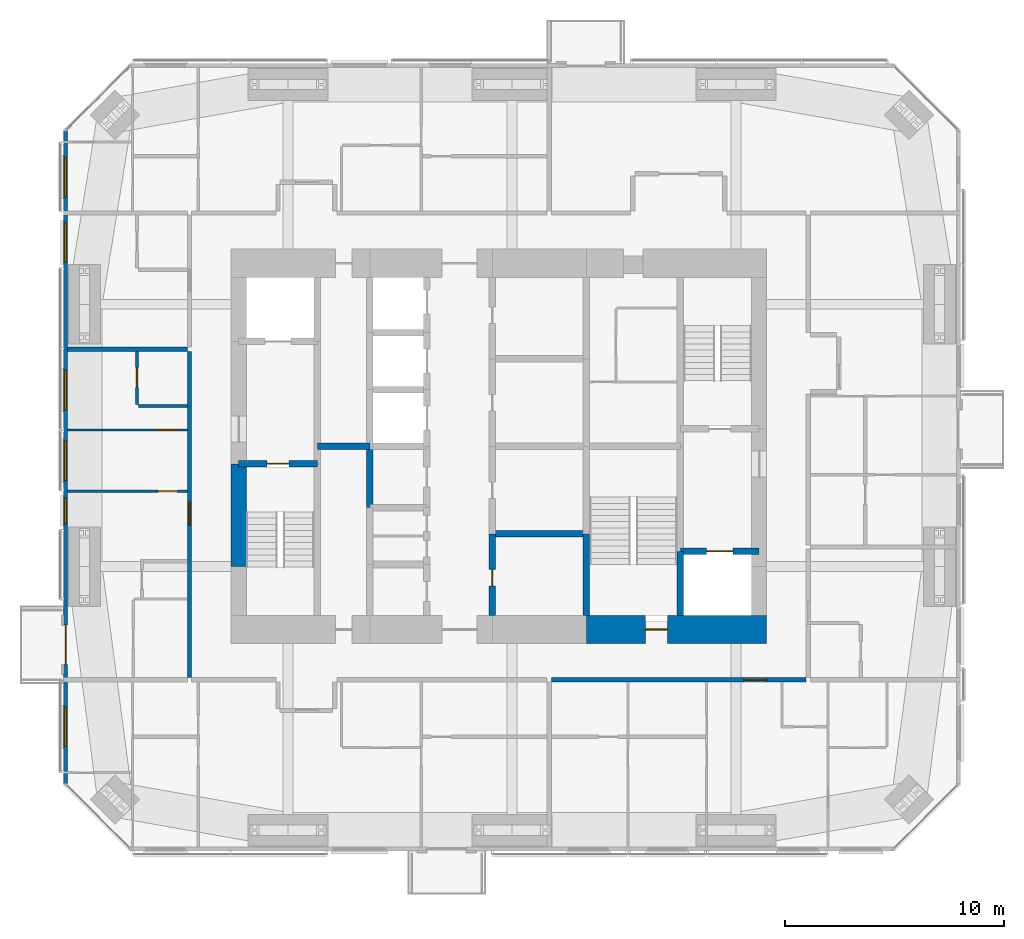
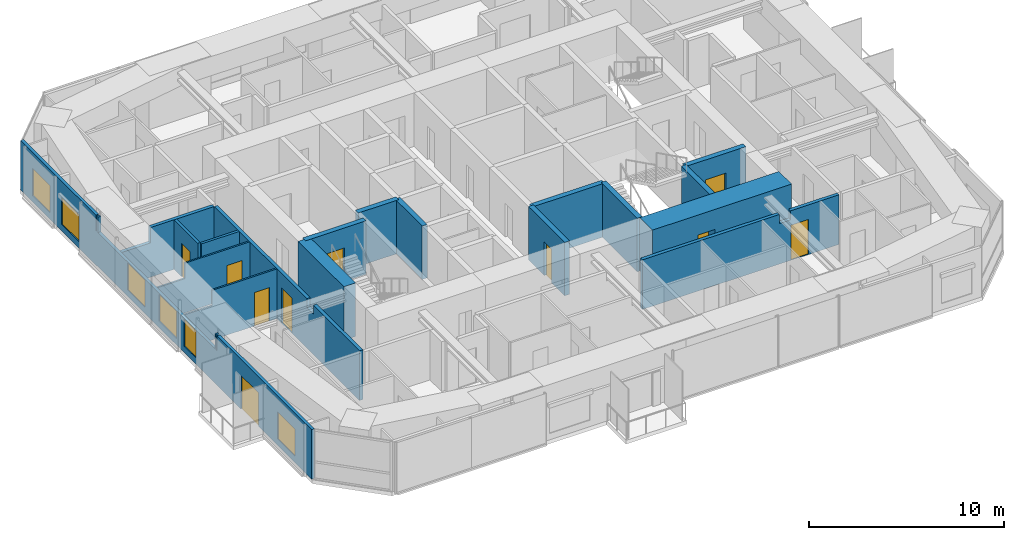
# One storey, part 17 of 22: 18 walls, 10 doors, 6 windows, 16 openings.
"""IFC4 building model written with IfcOpenShell, lengths in metres."""

from ifc_helpers import new_model, si_unit, direction, frame, frame_2d, origin, place, context, subcontext, project, spatial, polyline, rectangle, outline, extrude, material, layer, layer_set, constituent, constituent_set, type_object, element, fill, save


model = new_model("IFC4")

# Units and contexts
model_context = context("Model", 3, precision=1e-05, world=origin(), true_north=direction((0.0, 1.0)))
body_context = subcontext(model_context, "Body", "Model", "MODEL_VIEW")
ifc_project = project(units=[si_unit("LENGTHUNIT", "METRE"), si_unit("AREAUNIT", "SQUARE_METRE"), si_unit("VOLUMEUNIT", "CUBIC_METRE"), si_unit("PLANEANGLEUNIT", "RADIAN"), si_unit("MASSUNIT", "GRAM", prefix="KILO")], contexts=[model_context])

# Site, building, storey
site_placement = place(None, origin())
site = spatial("IfcSite", under=ifc_project, at=site_placement, CompositionType="ELEMENT")
building_placement = place(site_placement, origin())
building = spatial("IfcBuilding", under=site, at=building_placement, Name="Jalousie Tower", CompositionType="ELEMENT")
storey_placement = place(building_placement, frame((0.0, 0.0, 201.25)))
storey = spatial("IfcBuildingStorey", under=building, at=storey_placement, Name="L55", CompositionType="ELEMENT", Elevation=201.25)

# Wall, opening, door
ifc_material_1 = material(Name="Concrete block ASTM C90", Category="concrete")
ifc_constituent_1 = constituent(ifc_material_1, Name="Body")
ifc_material_2 = material(Name="Render")
ifc_constituent_2 = constituent(ifc_material_2, Name="Finish")
ifc_constituent_set_1 = constituent_set(constituents=[ifc_constituent_1, ifc_constituent_2])
wall_type_1 = type_object("IfcWallType", Name="BATHROOM WALL 150", PredefinedType="PLUMBINGWALL", material=ifc_constituent_set_1)
wall_1_placement = place(storey_placement, frame((15.35009765625, 20.425048828125, 0.0), z_axis=(0.0, 0.0, 1.0), x_axis=(0.0, 1.0, 0.0)))
wall_1 = element("IfcWall", 1, at=wall_1_placement, inside=storey, type_object=wall_type_1, Name="Bathroom Wall 150 L55", PredefinedType="PLUMBINGWALL", context=body_context, shape_type="SweptSolid", body=[
    extrude(rectangle(XDim=2.425048828125, YDim=0.14990234375, at=frame_2d((1.21240234375, 0.0))), origin(), (0.0, 0.0, 1.0), 3.110107421875),
])
opening_1_placement = place(wall_1_placement, frame((0.77490234375, 0.0, 0.0)))
opening_1 = element("IfcOpeningElement", 2, at=opening_1_placement, cuts=wall_1, Name="Opening D3", PredefinedType="OPENING", context=body_context, shape_type="SweptSolid", body=[
    extrude(rectangle(XDim=0.89990234375, YDim=2.10009765625, at=frame_2d((0.449951171875, 1.050048828125))), frame((0.0, 0.0849609375, 0.0), z_axis=(0.0, -1.0, 0.0), x_axis=(1.0, 0.0, 0.0)), (0.0, 0.0, 1.0), 0.169921875),
])
ifc_material_3 = material(Name="Timber door", Category="wood")
door_type_1 = type_object("IfcDoorType", Name="BATHROOM DOOR 900", OperationType="SINGLE_SWING_LEFT", PredefinedType="DOOR", material=ifc_material_3)
door_1_placement = place(opening_1_placement, frame((0.89990234375, 0.0, 0.0), z_axis=(0.0, 0.0, 1.0), x_axis=(-1.0, 0.0, 0.0)))
door_1 = element("IfcDoor", 3, at=door_1_placement, inside=storey, type_object=door_type_1, Name="Apartment 5504 bathroom door", OperationType="SINGLE_SWING_LEFT", OverallHeight=2.10009765625, OverallWidth=0.89990234375, PredefinedType="DOOR", context=body_context, shape_type="SweptSolid", body=[
    extrude(rectangle(XDim=0.89990234375, YDim=2.10009765625, at=frame_2d((0.449951171875, 1.050048828125))), frame((0.0, 0.02490234375, 0.0), z_axis=(0.0, -1.0, 0.0), x_axis=(1.0, 0.0, 0.0)), (0.0, 0.0, 1.0), 0.050048828125),
])
fill(opening_1, door_1)

# Wall
wall_2_placement = place(storey_placement, frame((15.425048828125, 20.35009765625, 0.0), z_axis=(0.0, 0.0, 1.0), x_axis=(1.0, 0.0, 0.0)))
element("IfcWall", 4, at=wall_2_placement, inside=storey, type_object=wall_type_1, Name="Bathroom Wall 150 L55", PredefinedType="PLUMBINGWALL", context=body_context, shape_type="SweptSolid", body=[
    extrude(rectangle(XDim=2.224853515625, YDim=0.14990234375, at=frame_2d((1.1123046875, 0.0))), origin(), (0.0, 0.0, 1.0), 3.110107421875),
])

# Wall, opening, door
ifc_material_4 = material(Name="Concrete f'c 120 MPa", Category="concrete")
ifc_layer_1 = layer(ifc_material_4, 1.300048828125)
ifc_layer_set_1 = layer_set([ifc_layer_1], Name="Concrete f'c 120 MPa")
wall_type_2 = type_object("IfcWallType", Name="CORE WALL 1300", PredefinedType="SHEAR", material=ifc_layer_set_1)
wall_3_placement = place(storey_placement, frame((35.89990234375, 10.125, 0.0), z_axis=(0.0, 0.0, 1.0), x_axis=(1.0, 0.0, 0.0)))
wall_3 = element("IfcWall", 5, at=wall_3_placement, inside=storey, type_object=wall_type_2, Name="Core wall SD L55", PredefinedType="SHEAR", context=body_context, shape_type="SweptSolid", body=[
    extrude(rectangle(XDim=8.25, YDim=1.300048828125, at=frame_2d((4.125, 0.0))), origin(), (0.0, 0.0, 1.0), 3.35009765625),
])
opening_2_placement = place(wall_3_placement, frame((2.699951171875, 0.0, 0.0)))
opening_2 = element("IfcOpeningElement", 6, at=opening_2_placement, cuts=wall_3, Name="Opening D10", PredefinedType="OPENING", context=body_context, shape_type="SweptSolid", body=[
    extrude(rectangle(XDim=1.0, YDim=2.10009765625, at=frame_2d((0.5, 1.050048828125))), frame((0.0, 0.659912109375, 0.0), z_axis=(0.0, -1.0, 0.0), x_axis=(1.0, 0.0, 0.0)), (0.0, 0.0, 1.0), 1.320068359375),
])
ifc_material_5 = material(Name="Steel fire door", Category="steel")
door_type_2 = type_object("IfcDoorType", Name="STAIR DOOR 1000", OperationType="SINGLE_SWING_LEFT", PredefinedType="DOOR", material=ifc_material_5)
door_2_placement = place(opening_2_placement, origin())
door_2 = element("IfcDoor", 7, at=door_2_placement, inside=storey, type_object=door_type_2, Name="Exit stair C door", OperationType="SINGLE_SWING_RIGHT", OverallHeight=2.10009765625, OverallWidth=1.0, PredefinedType="DOOR", context=body_context, shape_type="SweptSolid", body=[
    extrude(rectangle(XDim=1.0, YDim=2.10009765625, at=frame_2d((0.5, 1.050048828125))), frame((0.0, 0.02490234375, 0.0), z_axis=(0.0, -1.0, 0.0), x_axis=(1.0, 0.0, 0.0)), (0.0, 0.0, 1.0), 0.050048828125),
])
fill(opening_2, door_2)

# Wall
ifc_material_6 = material(Name="Concrete f'c 120 MPa", Category="concrete")
ifc_layer_2 = layer(ifc_material_6, 0.300048828125)
ifc_layer_set_2 = layer_set([ifc_layer_2], Name="Concrete f'c 120 MPa")
wall_type_3 = type_object("IfcWallType", Name="CORE WALL 300", PredefinedType="SHEAR", material=ifc_layer_set_2)
wall_4_placement = place(storey_placement, frame((26.0, 15.699951171875, 0.0), z_axis=(0.0, 0.0, 1.0), x_axis=(0.0, 1.0, 0.0)))
element("IfcWall", 8, at=wall_4_placement, inside=storey, type_object=wall_type_3, Name="Core wall X26C L55", PredefinedType="SHEAR", context=body_context, shape_type="SweptSolid", body=[
    extrude(rectangle(XDim=2.800048828125, YDim=0.300048828125, at=frame_2d((1.39990234375, 0.0))), origin(), (0.0, 0.0, 1.0), 3.35009765625),
])

# Wall, opening, door
wall_5_placement = place(storey_placement, frame((31.60009765625, 10.77490234375, 0.0), z_axis=(0.0, 0.0, 1.0), x_axis=(0.0, 1.0, 0.0)))
wall_5 = element("IfcWall", 9, at=wall_5_placement, inside=storey, type_object=wall_type_3, Name="Core wall X31.6A L55", PredefinedType="SHEAR", context=body_context, shape_type="SweptSolid", body=[
    extrude(rectangle(XDim=3.72509765625, YDim=0.300048828125, at=frame_2d((1.862548828125, 0.0))), origin(), (0.0, 0.0, 1.0), 3.35009765625),
])
opening_3_placement = place(wall_5_placement, frame((1.35009765625, 0.0, 0.0)))
opening_3 = element("IfcOpeningElement", 10, at=opening_3_placement, cuts=wall_5, Name="Opening D16", PredefinedType="OPENING", context=body_context, shape_type="SweptSolid", body=[
    extrude(rectangle(XDim=0.75, YDim=2.10009765625, at=frame_2d((0.375, 1.050048828125))), frame((0.0, 0.159912109375, 0.0), z_axis=(0.0, -1.0, 0.0), x_axis=(1.0, 0.0, 0.0)), (0.0, 0.0, 1.0), 0.320068359375),
])
ifc_material_7 = material(Name="Steel fire door", Category="steel")
door_type_3 = type_object("IfcDoorType", Name="RISER DOOR 750", OperationType="SINGLE_SWING_LEFT", PredefinedType="DOOR", material=ifc_material_7)
door_3_placement = place(opening_3_placement, frame((0.75, 0.0, 0.0), z_axis=(0.0, 0.0, 1.0), x_axis=(-1.0, 0.0, 0.0)))
door_3 = element("IfcDoor", 11, at=door_3_placement, inside=storey, type_object=door_type_3, Name="Refuse Room door", OperationType="SINGLE_SWING_RIGHT", OverallHeight=2.10009765625, OverallWidth=0.75, PredefinedType="DOOR", context=body_context, shape_type="SweptSolid", body=[
    extrude(rectangle(XDim=0.75, YDim=2.10009765625, at=frame_2d((0.375, 1.050048828125))), frame((0.0, 0.02490234375, 0.0), z_axis=(0.0, -1.0, 0.0), x_axis=(1.0, 0.0, 0.0)), (0.0, 0.0, 1.0), 0.050048828125),
])
fill(opening_3, door_3)

# Walls
wall_6_placement = place(storey_placement, frame((35.89990234375, 10.77490234375, 0.0), z_axis=(0.0, 0.0, 1.0), x_axis=(0.0, 1.0, 0.0)))
element("IfcWall", 12, at=wall_6_placement, inside=storey, type_object=wall_type_3, Name="Core wall X35.9A L55", PredefinedType="SHEAR", context=body_context, shape_type="SweptSolid", body=[
    extrude(rectangle(XDim=3.72509765625, YDim=0.300048828125, at=frame_2d((1.862548828125, 0.0))), origin(), (0.0, 0.0, 1.0), 3.35009765625),
])
wall_7_placement = place(storey_placement, frame((40.199951171875, 10.77490234375, 0.0), z_axis=(0.0, 0.0, 1.0), x_axis=(0.0, 1.0, 0.0)))
element("IfcWall", 13, at=wall_7_placement, inside=storey, type_object=wall_type_3, Name="Core wall X40.2A L55", PredefinedType="SHEAR", context=body_context, shape_type="SweptSolid", body=[
    extrude(rectangle(XDim=2.925048828125, YDim=0.300048828125, at=frame_2d((1.46240234375, 0.0))), origin(), (0.0, 0.0, 1.0), 3.35009765625),
])

# Wall, opening, door
wall_8_placement = place(storey_placement, frame((20.0, 17.699951171875, 0.0), z_axis=(0.0, 0.0, 1.0), x_axis=(1.0, 0.0, 0.0)))
wall_8 = element("IfcWall", 14, at=wall_8_placement, inside=storey, type_object=wall_type_3, Name="Core wall Y20-17.7 L55", PredefinedType="SHEAR", context=body_context, shape_type="SweptSolid", body=[
    extrude(rectangle(XDim=3.60009765625, YDim=0.300048828125, at=frame_2d((1.800048828125, 0.0))), origin(), (0.0, 0.0, 1.0), 3.35009765625),
])
opening_4_placement = place(wall_8_placement, frame((1.300048828125, 0.0, 0.0)))
opening_4 = element("IfcOpeningElement", 15, at=opening_4_placement, cuts=wall_8, Name="Opening D10", PredefinedType="OPENING", context=body_context, shape_type="SweptSolid", body=[
    extrude(rectangle(XDim=1.0, YDim=2.10009765625, at=frame_2d((0.5, 1.050048828125))), frame((0.0, 0.159912109375, 0.0), z_axis=(0.0, -1.0, 0.0), x_axis=(1.0, 0.0, 0.0)), (0.0, 0.0, 1.0), 0.320068359375),
])
door_4_placement = place(opening_4_placement, frame((1.0, 0.0, 0.0), z_axis=(0.0, 0.0, 1.0), x_axis=(-1.0, 0.0, 0.0)))
door_4 = element("IfcDoor", 16, at=door_4_placement, inside=storey, type_object=door_type_2, Name="Exit stair A door", OperationType="SINGLE_SWING_RIGHT", OverallHeight=2.10009765625, OverallWidth=1.0, PredefinedType="DOOR", context=body_context, shape_type="SweptSolid", body=[
    extrude(rectangle(XDim=1.0, YDim=2.10009765625, at=frame_2d((0.5, 1.050048828125))), frame((0.0, 0.02490234375, 0.0), z_axis=(0.0, -1.0, 0.0), x_axis=(1.0, 0.0, 0.0)), (0.0, 0.0, 1.0), 0.050048828125),
])
fill(opening_4, door_4)

# Walls
wall_9_placement = place(storey_placement, frame((23.60009765625, 18.5, 0.0), z_axis=(0.0, 0.0, 1.0), x_axis=(1.0, 0.0, 0.0)))
element("IfcWall", 17, at=wall_9_placement, inside=storey, type_object=wall_type_3, Name="Core wall Y23.6-18.5 L55", PredefinedType="SHEAR", context=body_context, shape_type="SweptSolid", body=[
    extrude(rectangle(XDim=2.39990234375, YDim=0.300048828125, at=frame_2d((1.199951171875, 0.0))), origin(), (0.0, 0.0, 1.0), 3.35009765625),
])
wall_10_placement = place(storey_placement, frame((31.60009765625, 14.5, 0.0), z_axis=(0.0, 0.0, 1.0), x_axis=(1.0, 0.0, 0.0)))
element("IfcWall", 18, at=wall_10_placement, inside=storey, type_object=wall_type_3, Name="Core wall Y31.6-14.5 L55", PredefinedType="SHEAR", context=body_context, shape_type="SweptSolid", body=[
    extrude(rectangle(XDim=4.2998046875, YDim=0.300048828125, at=frame_2d((2.14990234375, 0.0))), origin(), (0.0, 0.0, 1.0), 3.35009765625),
])

# Wall, opening, door
wall_11_placement = place(storey_placement, frame((40.199951171875, 13.699951171875, 0.0), z_axis=(0.0, 0.0, 1.0), x_axis=(1.0, 0.0, 0.0)))
wall_11 = element("IfcWall", 19, at=wall_11_placement, inside=storey, type_object=wall_type_3, Name="Core wall Y40.2-13.7 L55", PredefinedType="SHEAR", context=body_context, shape_type="SweptSolid", body=[
    extrude(rectangle(XDim=3.60009765625, YDim=0.300048828125, at=frame_2d((1.800048828125, 0.0))), origin(), (0.0, 0.0, 1.0), 3.35009765625),
])
opening_5_placement = place(wall_11_placement, frame((1.199951171875, 0.0, 0.0)))
opening_5 = element("IfcOpeningElement", 20, at=opening_5_placement, cuts=wall_11, Name="Opening LD2", PredefinedType="OPENING", context=body_context, shape_type="SweptSolid", body=[
    extrude(rectangle(XDim=1.199951171875, YDim=2.10009765625, at=frame_2d((0.60009765625, 1.050048828125))), frame((0.0, 0.159912109375, 0.0), z_axis=(0.0, -1.0, 0.0), x_axis=(1.0, 0.0, 0.0)), (0.0, 0.0, 1.0), 0.320068359375),
])
ifc_material_8 = material(Name="Steel lift landing door", Category="steel")
door_type_4 = type_object("IfcDoorType", Name="LIFT LANDING DOOR 1200", OperationType="SLIDING_TO_LEFT", PredefinedType="DOOR", material=ifc_material_8)
door_5_placement = place(opening_5_placement, origin())
door_5 = element("IfcDoor", 21, at=door_5_placement, inside=storey, type_object=door_type_4, Name="Lift F2 landing door", OperationType="SLIDING_TO_LEFT", OverallHeight=2.10009765625, OverallWidth=1.199951171875, PredefinedType="DOOR", context=body_context, shape_type="SweptSolid", body=[
    extrude(rectangle(XDim=1.199951171875, YDim=2.10009765625, at=frame_2d((0.60009765625, 1.050048828125))), frame((0.0, 0.02490234375, 0.0), z_axis=(0.0, -1.0, 0.0), x_axis=(1.0, 0.0, 0.0)), (0.0, 0.0, 1.0), 0.050048828125),
])
fill(opening_5, door_5)

# Wall
ifc_material_9 = material(Name="Concrete f'c 120 MPa", Category="concrete")
ifc_layer_3 = layer(ifc_material_9, 0.699951171875)
ifc_layer_set_3 = layer_set([ifc_layer_3], Name="Concrete f'c 120 MPa")
wall_type_4 = type_object("IfcWallType", Name="CORE WALL 700", PredefinedType="SHEAR", material=ifc_layer_set_3)
wall_12_placement = place(storey_placement, frame((20.0, 17.699951171875, 0.0), z_axis=(0.0, 0.0, 1.0), x_axis=(0.0, -1.0, 0.0)))
element("IfcWall", 22, at=wall_12_placement, inside=storey, type_object=wall_type_4, Name="Core wall WC L55", PredefinedType="SHEAR", context=body_context, shape_type="SweptSolid", body=[
    extrude(rectangle(XDim=4.699951171875, YDim=0.699951171875, at=frame_2d((2.35009765625, 0.0))), origin(), (0.0, 0.0, 1.0), 3.35009765625),
])

# Wall, opening, door
ifc_material_10 = material(Name="Concrete block ASTM C90", Category="concrete")
ifc_constituent_3 = constituent(ifc_material_10, Name="Body")
ifc_material_11 = material(Name="Render")
ifc_constituent_4 = constituent(ifc_material_11, Name="Finish")
ifc_constituent_set_2 = constituent_set(constituents=[ifc_constituent_3, ifc_constituent_4])
wall_type_5 = type_object("IfcWallType", Name="CORRIDOR WALL 200", PredefinedType="PARTITIONING", material=ifc_constituent_set_2)
wall_13_placement = place(storey_placement, frame((34.300048828125, 7.824951171875, 0.0), z_axis=(0.0, 0.0, 1.0), x_axis=(1.0, 0.0, 0.0)))
wall_13 = element("IfcWall", 23, at=wall_13_placement, inside=storey, type_object=wall_type_5, Name="Corridor Wall 200 L55", PredefinedType="PARTITIONING", context=body_context, shape_type="SweptSolid", body=[
    extrude(outline(polyline([(0.0, 0.0), (11.64990234375, 0.0), (11.64990234375, 3.110107421875), (8.787353515625, 3.110107421875), (8.787353515625, 2.541015625), (8.112548828125, 2.541015625), (8.112548828125, 3.110107421875), (0.0, 3.110107421875), (0.0, 0.0)])), frame((0.0, 0.10009765625, 0.0), z_axis=(0.0, -1.0, 0.0), x_axis=(1.0, 0.0, 0.0)), (0.0, 0.0, 1.0), 0.199951171875),
])
opening_6_placement = place(wall_13_placement, frame((8.800048828125, 0.0, 0.0)))
opening_6 = element("IfcOpeningElement", 24, at=opening_6_placement, cuts=wall_13, Name="Opening D1", PredefinedType="OPENING", context=body_context, shape_type="SweptSolid", body=[
    extrude(rectangle(XDim=1.050048828125, YDim=2.199951171875, at=frame_2d((0.52490234375, 1.10009765625))), frame((0.0, 0.10986328125, 0.0), z_axis=(0.0, -1.0, 0.0), x_axis=(1.0, 0.0, 0.0)), (0.0, 0.0, 1.0), 0.219970703125),
])
ifc_material_12 = material(Name="Timber fire door", Category="wood")
door_type_5 = type_object("IfcDoorType", Name="APARTMENT ENTRANCE DOOR 1050", OperationType="SINGLE_SWING_LEFT", PredefinedType="DOOR", material=ifc_material_12)
door_6_placement = place(opening_6_placement, frame((1.050048828125, 0.0, 0.0), z_axis=(0.0, 0.0, 1.0), x_axis=(-1.0, 0.0, 0.0)))
door_6 = element("IfcDoor", 25, at=door_6_placement, inside=storey, type_object=door_type_5, Name="Apartment 5502 entrance", OperationType="SINGLE_SWING_LEFT", OverallHeight=2.199951171875, OverallWidth=1.050048828125, PredefinedType="DOOR", context=body_context, shape_type="SweptSolid", body=[
    extrude(rectangle(XDim=1.050048828125, YDim=2.199951171875, at=frame_2d((0.52490234375, 1.10009765625))), frame((0.0, 0.02490234375, 0.0), z_axis=(0.0, -1.0, 0.0), x_axis=(1.0, 0.0, 0.0)), (0.0, 0.0, 1.0), 0.050048828125),
])
fill(opening_6, door_6)

wall_14_placement = place(storey_placement, frame((17.75, 7.925048828125, 0.0), z_axis=(0.0, 0.0, 1.0), x_axis=(0.0, 1.0, 0.0)))
wall_14 = element("IfcWall", 26, at=wall_14_placement, inside=storey, type_object=wall_type_5, Name="Corridor Wall 200 L55", PredefinedType="PARTITIONING", context=body_context, shape_type="SweptSolid", body=[
    extrude(outline(polyline([(0.0, 0.0), (14.925048828125, 0.0), (14.925048828125, 3.110107421875), (5.412353515625, 3.110107421875), (5.412353515625, 2.541015625), (4.73779296875, 2.541015625), (4.73779296875, 3.110107421875), (0.0, 3.110107421875), (0.0, 0.0)])), frame((0.0, 0.10009765625, 0.0), z_axis=(0.0, -1.0, 0.0), x_axis=(1.0, 0.0, 0.0)), (0.0, 0.0, 1.0), 0.199951171875),
])
opening_7_placement = place(wall_14_placement, frame((6.96240234375, 0.0, 0.0)))
opening_7 = element("IfcOpeningElement", 27, at=opening_7_placement, cuts=wall_14, Name="Opening D1", PredefinedType="OPENING", context=body_context, shape_type="SweptSolid", body=[
    extrude(rectangle(XDim=1.050048828125, YDim=2.199951171875, at=frame_2d((0.52490234375, 1.10009765625))), frame((0.0, 0.10986328125, 0.0), z_axis=(0.0, -1.0, 0.0), x_axis=(1.0, 0.0, 0.0)), (0.0, 0.0, 1.0), 0.219970703125),
])
door_7_placement = place(opening_7_placement, origin())
door_7 = element("IfcDoor", 28, at=door_7_placement, inside=storey, type_object=door_type_5, Name="Apartment 5504 entrance", OperationType="SINGLE_SWING_RIGHT", OverallHeight=2.199951171875, OverallWidth=1.050048828125, PredefinedType="DOOR", context=body_context, shape_type="SweptSolid", body=[
    extrude(rectangle(XDim=1.050048828125, YDim=2.199951171875, at=frame_2d((0.52490234375, 1.10009765625))), frame((0.0, 0.02490234375, 0.0), z_axis=(0.0, -1.0, 0.0), x_axis=(1.0, 0.0, 0.0)), (0.0, 0.0, 1.0), 0.050048828125),
])
fill(opening_7, door_7)

# Wall, openings, door, windows
ifc_material_13 = material(Name="Concrete f'c 40 MPa", Category="concrete")
ifc_constituent_5 = constituent(ifc_material_13, Name="Body")
ifc_material_14 = material(Name="Render, pastel lemon")
ifc_constituent_6 = constituent(ifc_material_14, Name="Finish")
ifc_constituent_set_3 = constituent_set(constituents=[ifc_constituent_5, ifc_constituent_6])
wall_type_6 = type_object("IfcWallType", Name="EXTERNAL WALL 175 LEMON RENDER", PredefinedType="SOLIDWALL", material=ifc_constituent_set_3)
wall_15_placement = place(storey_placement, frame((12.08740234375, 32.94873046875, 0.0), z_axis=(0.0, 0.0, 1.0), x_axis=(0.0, -1.0, 0.0)))
wall_15 = element("IfcWall", 29, at=wall_15_placement, inside=storey, type_object=wall_type_6, Name="External Wall 175 Lemon Render L55", PredefinedType="SOLIDWALL", context=body_context, shape_type="SweptSolid", body=[
    extrude(outline(polyline([(0.0, 0.0), (29.8974609375, 0.0), (29.8974609375, 3.110107421875), (20.19140625, 3.110107421875), (20.19140625, 2.14990234375), (20.050537109375, 2.14990234375), (20.050537109375, 3.110107421875), (19.94873046875, 3.110107421875), (19.94873046875, 2.14990234375), (7.94873046875, 2.14990234375), (7.94873046875, 3.110107421875), (7.823486328125, 3.110107421875), (7.823486328125, 2.14990234375), (7.729736328125, 2.14990234375), (7.729736328125, 3.110107421875), (0.0, 3.110107421875), (0.0, 0.0)])), frame((0.0, 0.08740234375, 0.0), z_axis=(0.0, -1.0, 0.0), x_axis=(1.0, 0.0, 0.0)), (0.0, 0.0, 1.0), 0.175048828125),
])
opening_8_placement = place(wall_15_placement, frame((1.226318359375, 0.0, 0.39990234375)))
opening_8 = element("IfcOpeningElement", 30, at=opening_8_placement, cuts=wall_15, Name="Opening W-BED170", PredefinedType="OPENING", context=body_context, shape_type="SweptSolid", body=[
    extrude(rectangle(XDim=1.800048828125, YDim=1.699951171875, at=frame_2d((0.89990234375, 0.85009765625))), frame((0.0, 0.097412109375, 0.0), z_axis=(0.0, -1.0, 0.0), x_axis=(1.0, 0.0, 0.0)), (0.0, 0.0, 1.0), 0.195068359375),
])
opening_9_placement = place(wall_15_placement, frame((4.2236328125, 0.0, 0.39990234375)))
opening_9 = element("IfcOpeningElement", 31, at=opening_9_placement, cuts=wall_15, Name="Opening W-BED170", PredefinedType="OPENING", context=body_context, shape_type="SweptSolid", body=[
    extrude(rectangle(XDim=1.800048828125, YDim=1.699951171875, at=frame_2d((0.89990234375, 0.85009765625))), frame((0.0, 0.097412109375, 0.0), z_axis=(0.0, -1.0, 0.0), x_axis=(1.0, 0.0, 0.0)), (0.0, 0.0, 1.0), 0.195068359375),
])
opening_10_placement = place(wall_15_placement, frame((10.9736328125, 0.0, 0.39990234375)))
opening_10 = element("IfcOpeningElement", 32, at=opening_10_placement, cuts=wall_15, Name="Opening W-BED170", PredefinedType="OPENING", context=body_context, shape_type="SweptSolid", body=[
    extrude(rectangle(XDim=1.800048828125, YDim=1.699951171875, at=frame_2d((0.89990234375, 0.85009765625))), frame((0.0, 0.097412109375, 0.0), z_axis=(0.0, -1.0, 0.0), x_axis=(1.0, 0.0, 0.0)), (0.0, 0.0, 1.0), 0.195068359375),
])
opening_11_placement = place(wall_15_placement, frame((14.19873046875, 0.0, 0.39990234375)))
opening_11 = element("IfcOpeningElement", 33, at=opening_11_placement, cuts=wall_15, Name="Opening W-BED170", PredefinedType="OPENING", context=body_context, shape_type="SweptSolid", body=[
    extrude(rectangle(XDim=1.800048828125, YDim=1.699951171875, at=frame_2d((0.89990234375, 0.85009765625))), frame((0.0, 0.097412109375, 0.0), z_axis=(0.0, -1.0, 0.0), x_axis=(1.0, 0.0, 0.0)), (0.0, 0.0, 1.0), 0.195068359375),
])
opening_12_placement = place(wall_15_placement, frame((22.623779296875, 0.0, 0.0)))
opening_12 = element("IfcOpeningElement", 34, at=opening_12_placement, cuts=wall_15, Name="Opening D-BAL21", PredefinedType="OPENING", context=body_context, shape_type="SweptSolid", body=[
    extrude(rectangle(XDim=1.800048828125, YDim=2.10009765625, at=frame_2d((0.89990234375, 1.050048828125))), frame((0.0, 0.097412109375, 0.0), z_axis=(0.0, -1.0, 0.0), x_axis=(1.0, 0.0, 0.0)), (0.0, 0.0, 1.0), 0.195068359375),
])
opening_13_placement = place(wall_15_placement, frame((16.799072265625, 0.0, 0.39990234375)))
opening_13 = element("IfcOpeningElement", 35, at=opening_13_placement, cuts=wall_15, Name="Opening W-COR170", PredefinedType="OPENING", context=body_context, shape_type="SweptSolid", body=[
    extrude(rectangle(XDim=1.199951171875, YDim=1.699951171875, at=frame_2d((0.60009765625, 0.85009765625))), frame((0.0, 0.097412109375, 0.0), z_axis=(0.0, -1.0, 0.0), x_axis=(1.0, 0.0, 0.0)), (0.0, 0.0, 1.0), 0.195068359375),
])
opening_14_placement = place(wall_15_placement, frame((26.371337890625, 0.0, 0.39990234375)))
opening_14 = element("IfcOpeningElement", 36, at=opening_14_placement, cuts=wall_15, Name="Opening W-BED170", PredefinedType="OPENING", context=body_context, shape_type="SweptSolid", body=[
    extrude(rectangle(XDim=1.800048828125, YDim=1.699951171875, at=frame_2d((0.89990234375, 0.85009765625))), frame((0.0, 0.097412109375, 0.0), z_axis=(0.0, -1.0, 0.0), x_axis=(1.0, 0.0, 0.0)), (0.0, 0.0, 1.0), 0.195068359375),
])
ifc_material_15 = material(Name="Aluminium frame, impact-rated glazing", Category="aluminium")
door_type_6 = type_object("IfcDoorType", Name="BALCONY DOOR 1800x2100", OperationType="SLIDING_TO_LEFT", PredefinedType="DOOR", material=ifc_material_15)
door_8_placement = place(opening_12_placement, origin())
door_8 = element("IfcDoor", 37, at=door_8_placement, inside=storey, type_object=door_type_6, Name="Apartment 5504 living and dining room balcony door", OperationType="SLIDING_TO_LEFT", OverallHeight=2.10009765625, OverallWidth=1.800048828125, PredefinedType="DOOR", context=body_context, shape_type="SweptSolid", body=[
    extrude(rectangle(XDim=1.800048828125, YDim=2.10009765625, at=frame_2d((0.89990234375, 1.050048828125))), frame((0.0, 0.02490234375, 0.0), z_axis=(0.0, -1.0, 0.0), x_axis=(1.0, 0.0, 0.0)), (0.0, 0.0, 1.0), 0.050048828125),
])
fill(opening_12, door_8)
ifc_material_16 = material(Name="Aluminium frame, impact-rated glazing", Category="aluminium")
window_type_1 = type_object("IfcWindowType", Name="WINDOW BED 1800x1700", PartitioningType="SINGLE_PANEL", PredefinedType="WINDOW", material=ifc_material_16)
window_1_placement = place(opening_8_placement, origin())
window_1 = element("IfcWindow", 38, at=window_1_placement, inside=storey, type_object=window_type_1, Name="Apartment 5503 bedroom 1 window", OverallHeight=1.699951171875, OverallWidth=1.800048828125, PartitioningType="SINGLE_PANEL", PredefinedType="WINDOW", context=body_context, shape_type="SweptSolid", body=[
    extrude(rectangle(XDim=1.800048828125, YDim=1.699951171875, at=frame_2d((0.89990234375, 0.85009765625))), frame((0.0, 0.030029296875, 0.0), z_axis=(0.0, -1.0, 0.0), x_axis=(1.0, 0.0, 0.0)), (0.0, 0.0, 1.0), 0.06005859375),
])
fill(opening_8, window_1)
window_2_placement = place(opening_9_placement, origin())
window_2 = element("IfcWindow", 39, at=window_2_placement, inside=storey, type_object=window_type_1, Name="Apartment 5505 studio kitchen, living and sleeping room window", OverallHeight=1.699951171875, OverallWidth=1.800048828125, PartitioningType="SINGLE_PANEL", PredefinedType="WINDOW", context=body_context, shape_type="SweptSolid", body=[
    extrude(rectangle(XDim=1.800048828125, YDim=1.699951171875, at=frame_2d((0.89990234375, 0.85009765625))), frame((0.0, 0.030029296875, 0.0), z_axis=(0.0, -1.0, 0.0), x_axis=(1.0, 0.0, 0.0)), (0.0, 0.0, 1.0), 0.06005859375),
])
fill(opening_9, window_2)
window_3_placement = place(opening_10_placement, origin())
window_3 = element("IfcWindow", 40, at=window_3_placement, inside=storey, type_object=window_type_1, Name="Apartment 5504 bedroom 1 window", OverallHeight=1.699951171875, OverallWidth=1.800048828125, PartitioningType="SINGLE_PANEL", PredefinedType="WINDOW", context=body_context, shape_type="SweptSolid", body=[
    extrude(rectangle(XDim=1.800048828125, YDim=1.699951171875, at=frame_2d((0.89990234375, 0.85009765625))), frame((0.0, 0.030029296875, 0.0), z_axis=(0.0, -1.0, 0.0), x_axis=(1.0, 0.0, 0.0)), (0.0, 0.0, 1.0), 0.06005859375),
])
fill(opening_10, window_3)
window_4_placement = place(opening_11_placement, origin())
window_4 = element("IfcWindow", 41, at=window_4_placement, inside=storey, type_object=window_type_1, Name="Apartment 5504 bedroom 2 window", OverallHeight=1.699951171875, OverallWidth=1.800048828125, PartitioningType="SINGLE_PANEL", PredefinedType="WINDOW", context=body_context, shape_type="SweptSolid", body=[
    extrude(rectangle(XDim=1.800048828125, YDim=1.699951171875, at=frame_2d((0.89990234375, 0.85009765625))), frame((0.0, 0.030029296875, 0.0), z_axis=(0.0, -1.0, 0.0), x_axis=(1.0, 0.0, 0.0)), (0.0, 0.0, 1.0), 0.06005859375),
])
fill(opening_11, window_4)
window_5_placement = place(opening_14_placement, origin())
window_5 = element("IfcWindow", 42, at=window_5_placement, inside=storey, type_object=window_type_1, Name="Apartment 5501 bedroom 1 window", OverallHeight=1.699951171875, OverallWidth=1.800048828125, PartitioningType="SINGLE_PANEL", PredefinedType="WINDOW", context=body_context, shape_type="SweptSolid", body=[
    extrude(rectangle(XDim=1.800048828125, YDim=1.699951171875, at=frame_2d((0.89990234375, 0.85009765625))), frame((0.0, 0.030029296875, 0.0), z_axis=(0.0, -1.0, 0.0), x_axis=(1.0, 0.0, 0.0)), (0.0, 0.0, 1.0), 0.06005859375),
])
fill(opening_14, window_5)
ifc_material_17 = material(Name="Aluminium frame, impact-rated glazing", Category="aluminium")
window_type_2 = type_object("IfcWindowType", Name="WINDOW COR 1200x1700", PartitioningType="SINGLE_PANEL", PredefinedType="WINDOW", material=ifc_material_17)
window_6_placement = place(opening_13_placement, origin())
window_6 = element("IfcWindow", 43, at=window_6_placement, inside=storey, type_object=window_type_2, Name="Apartment 5504 living and dining room window", OverallHeight=1.699951171875, OverallWidth=1.199951171875, PartitioningType="SINGLE_PANEL", PredefinedType="WINDOW", context=body_context, shape_type="SweptSolid", body=[
    extrude(rectangle(XDim=1.199951171875, YDim=1.699951171875, at=frame_2d((0.60009765625, 0.85009765625))), frame((0.0, 0.030029296875, 0.0), z_axis=(0.0, -1.0, 0.0), x_axis=(1.0, 0.0, 0.0)), (0.0, 0.0, 1.0), 0.06005859375),
])
fill(opening_13, window_6)

# Wall, opening, door
ifc_material_18 = material(Name="Gypsum board", Category="gypsum")
ifc_constituent_7 = constituent(ifc_material_18, Name="Body")
ifc_material_19 = material(Name="Light-gauge steel studs ASTM A653 SS Grade 33", Category="steel")
ifc_constituent_8 = constituent(ifc_material_19, Name="Framing")
ifc_constituent_set_4 = constituent_set(constituents=[ifc_constituent_7, ifc_constituent_8])
wall_type_7 = type_object("IfcWallType", Name="PARTITION 100", PredefinedType="PARTITIONING", material=ifc_constituent_set_4)
wall_16_placement = place(storey_placement, frame((12.175048828125, 19.25, 0.0), z_axis=(0.0, 0.0, 1.0), x_axis=(1.0, 0.0, 0.0)))
wall_16 = element("IfcWall", 44, at=wall_16_placement, inside=storey, type_object=wall_type_7, Name="Partition 100 L55", PredefinedType="PARTITIONING", context=body_context, shape_type="SweptSolid", body=[
    extrude(outline(polyline([(0.0, 0.0), (5.474853515625, 0.0), (5.47509765625, 3.110107421875), (1.635009765625, 3.110107421875), (1.635009765625, 2.14990234375), (0.0, 2.14990234375), (0.0, 3.110107421875), (0.0, 0.0)])), frame((0.0, 0.050048828125, 0.0), z_axis=(0.0, -1.0, 0.0), x_axis=(1.0, 0.0, 0.0)), (0.0, 0.0, 1.0), 0.10009765625),
])
opening_15_placement = place(wall_16_placement, frame((4.125, 0.0, 0.0)))
opening_15 = element("IfcOpeningElement", 45, at=opening_15_placement, cuts=wall_16, Name="Opening D2", PredefinedType="OPENING", context=body_context, shape_type="SweptSolid", body=[
    extrude(rectangle(XDim=0.89990234375, YDim=2.10009765625, at=frame_2d((0.449951171875, 1.050048828125))), frame((0.0, 0.06005859375, 0.0), z_axis=(0.0, -1.0, 0.0), x_axis=(1.0, 0.0, 0.0)), (0.0, 0.0, 1.0), 0.1201171875),
])
ifc_material_20 = material(Name="Timber door", Category="wood")
door_type_7 = type_object("IfcDoorType", Name="BEDROOM DOOR 900", OperationType="SINGLE_SWING_LEFT", PredefinedType="DOOR", material=ifc_material_20)
door_9_placement = place(opening_15_placement, frame((0.89990234375, 0.0, 0.0), z_axis=(0.0, 0.0, 1.0), x_axis=(-1.0, 0.0, 0.0)))
door_9 = element("IfcDoor", 46, at=door_9_placement, inside=storey, type_object=door_type_7, Name="Apartment 5504 bedroom 1 door", OperationType="SINGLE_SWING_LEFT", OverallHeight=2.10009765625, OverallWidth=0.89990234375, PredefinedType="DOOR", context=body_context, shape_type="SweptSolid", body=[
    extrude(rectangle(XDim=0.89990234375, YDim=2.10009765625, at=frame_2d((0.449951171875, 1.050048828125))), frame((0.0, 0.02490234375, 0.0), z_axis=(0.0, -1.0, 0.0), x_axis=(1.0, 0.0, 0.0)), (0.0, 0.0, 1.0), 0.050048828125),
])
fill(opening_15, door_9)

wall_17_placement = place(storey_placement, frame((12.175048828125, 16.449951171875, 0.0), z_axis=(0.0, 0.0, 1.0), x_axis=(1.0, 0.0, 0.0)))
wall_17 = element("IfcWall", 47, at=wall_17_placement, inside=storey, type_object=wall_type_7, Name="Partition 100 L55", PredefinedType="PARTITIONING", context=body_context, shape_type="SweptSolid", body=[
    extrude(outline(polyline([(0.0, 0.0), (5.474853515625, 0.0), (5.47509765625, 3.110107421875), (1.635009765625, 3.110107421875), (1.635009765625, 2.14990234375), (0.0, 2.14990234375), (0.0, 3.110107421875), (0.0, 0.0)])), frame((0.0, 0.050048828125, 0.0), z_axis=(0.0, -1.0, 0.0), x_axis=(1.0, 0.0, 0.0)), (0.0, 0.0, 1.0), 0.10009765625),
])
opening_16_placement = place(wall_17_placement, frame((4.125, 0.0, 0.0)))
opening_16 = element("IfcOpeningElement", 48, at=opening_16_placement, cuts=wall_17, Name="Opening D2", PredefinedType="OPENING", context=body_context, shape_type="SweptSolid", body=[
    extrude(rectangle(XDim=0.89990234375, YDim=2.10009765625, at=frame_2d((0.449951171875, 1.050048828125))), frame((0.0, 0.06005859375, 0.0), z_axis=(0.0, -1.0, 0.0), x_axis=(1.0, 0.0, 0.0)), (0.0, 0.0, 1.0), 0.1201171875),
])
door_10_placement = place(opening_16_placement, origin())
door_10 = element("IfcDoor", 49, at=door_10_placement, inside=storey, type_object=door_type_7, Name="Apartment 5504 bedroom 2 door", OperationType="SINGLE_SWING_RIGHT", OverallHeight=2.10009765625, OverallWidth=0.89990234375, PredefinedType="DOOR", context=body_context, shape_type="SweptSolid", body=[
    extrude(rectangle(XDim=0.89990234375, YDim=2.10009765625, at=frame_2d((0.449951171875, 1.050048828125))), frame((0.0, 0.02490234375, 0.0), z_axis=(0.0, -1.0, 0.0), x_axis=(1.0, 0.0, 0.0)), (0.0, 0.0, 1.0), 0.050048828125),
])
fill(opening_16, door_10)

# Wall
ifc_material_21 = material(Name="Concrete block ASTM C90", Category="concrete")
ifc_constituent_9 = constituent(ifc_material_21, Name="Body")
ifc_material_22 = material(Name="Render")
ifc_constituent_10 = constituent(ifc_material_22, Name="Finish")
ifc_constituent_set_5 = constituent_set(constituents=[ifc_constituent_9, ifc_constituent_10])
wall_type_8 = type_object("IfcWallType", Name="PARTY WALL 200", PredefinedType="PARTITIONING", material=ifc_constituent_set_5)
wall_18_placement = place(storey_placement, frame((12.175048828125, 22.949951171875, 0.0), z_axis=(0.0, 0.0, 1.0), x_axis=(1.0, 0.0, 0.0)))
element("IfcWall", 50, at=wall_18_placement, inside=storey, type_object=wall_type_8, Name="Party Wall 200 L55", PredefinedType="PARTITIONING", context=body_context, shape_type="SweptSolid", body=[
    extrude(outline(polyline([(0.0, 0.0), (5.474853515625, 0.0), (5.47509765625, 3.110107421875), (1.68505859375, 3.110107421875), (1.68505859375, 2.14990234375), (0.0, 2.14990234375), (0.0, 3.110107421875), (0.0, 0.0)])), frame((0.0, 0.10009765625, 0.0), z_axis=(0.0, -1.0, 0.0), x_axis=(1.0, 0.0, 0.0)), (0.0, 0.0, 1.0), 0.199951171875),
])

save(model, "model.ifc")
